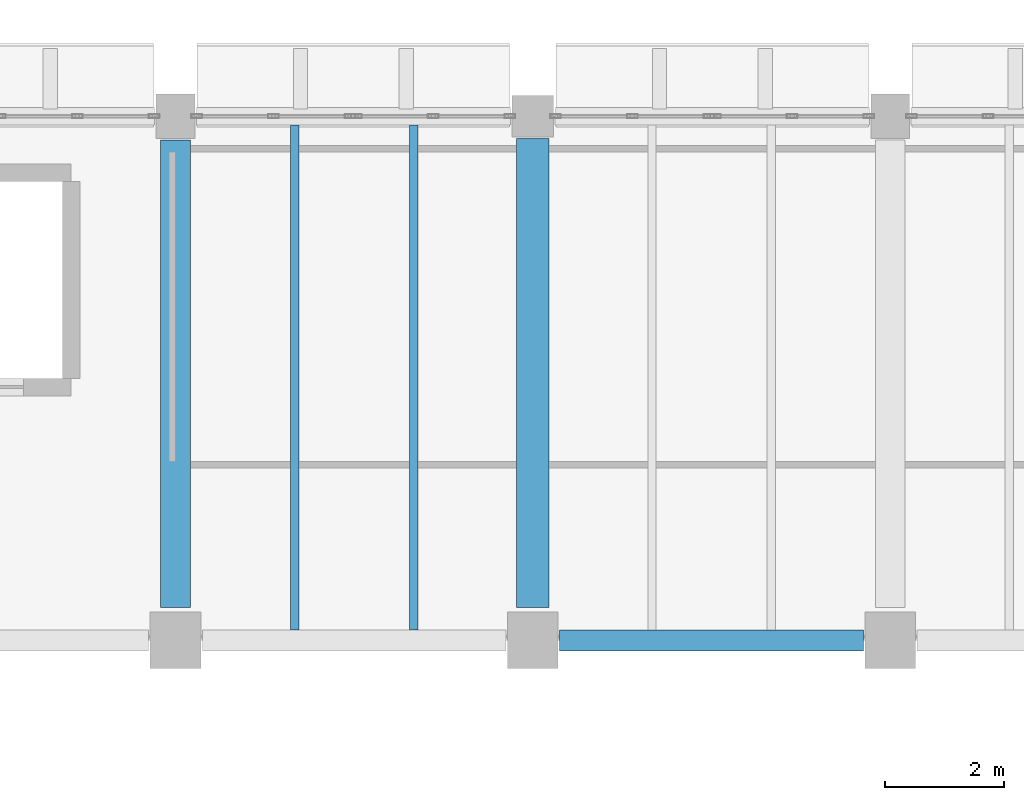
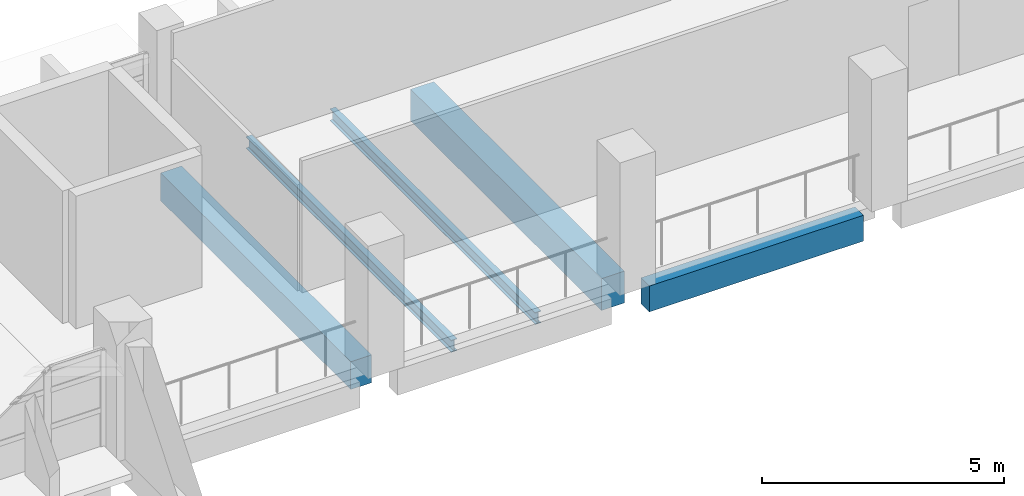
# One storey, part 31 of 75: 5 beams.
"""IFC4 building model written with IfcOpenShell, lengths in metres."""

from ifc_helpers import new_model, si_unit, direction, frame, origin, origin_2d, place, context, subcontext, project, spatial, rectangle, i_section, extrude, material, material_profile, profile_set, type_object, element, save


model = new_model("IFC4")

# Units and contexts
model_context = context("Model", 3, precision=1e-05, world=origin(), true_north=direction((0.0, 1.0)))
body_context = subcontext(model_context, "Body", "Model", "MODEL_VIEW")
ifc_project = project(units=[si_unit("LENGTHUNIT", "METRE"), si_unit("AREAUNIT", "SQUARE_METRE"), si_unit("VOLUMEUNIT", "CUBIC_METRE"), si_unit("PLANEANGLEUNIT", "RADIAN"), si_unit("MASSUNIT", "GRAM", prefix="KILO")], contexts=[model_context])

# Site, building, storey
site_placement = place(None, origin())
site = spatial("IfcSite", under=ifc_project, at=site_placement, CompositionType="ELEMENT")
building_placement = place(site_placement, origin())
building = spatial("IfcBuilding", under=site, at=building_placement, Name="Varnakota Cinema and Media Centre", CompositionType="ELEMENT")
storey_placement = place(building_placement, frame((0.0, 0.0, 8.39990234375)))
storey = spatial("IfcBuildingStorey", under=building, at=storey_placement, Name="L02", CompositionType="ELEMENT", Elevation=8.39990234375)

# Beams
ifc_material_1 = material(Name="Concrete M35", Category="concrete")
ifc_material_profile_1 = material_profile(ifc_material_1, rectangle(XDim=0.5, YDim=0.699951171875, at=origin_2d()), Name="RCB 500x700")
ifc_profile_set_1 = profile_set([ifc_material_profile_1], Name="Concrete M35")
beam_type_1 = type_object("IfcBeamType", Name="BM-RC-500x700", PredefinedType="BEAM", material=ifc_profile_set_1)
beam_1_placement = place(storey_placement, frame((81.0, 35.75, -0.599853515625), z_axis=(0.0, 1.0, 0.0), x_axis=(-1.0, 0.0, 0.0)))
element("IfcBeam", 1, at=beam_1_placement, inside=storey, type_object=beam_type_1, Name="L02 girder L/5-6", PredefinedType="BEAM", context=body_context, shape_type="SweptSolid", body=[
    extrude(rectangle(XDim=0.5, YDim=0.699951171875, at=origin_2d()), origin(), (0.0, 0.0, 1.0), 7.85009765625),
])
ifc_material_2 = material(Name="Concrete M35", Category="concrete")
ifc_material_profile_2 = material_profile(ifc_material_2, rectangle(XDim=0.550048828125, YDim=0.800048828125, at=origin_2d()), Name="RCB 550x800")
ifc_profile_set_2 = profile_set([ifc_material_profile_2], Name="Concrete M35")
beam_type_2 = type_object("IfcBeamType", Name="BM-RC-550x800", PredefinedType="BEAM", material=ifc_profile_set_2)
beam_2_placement = place(storey_placement, frame((87.0, 35.75, -0.64990234375), z_axis=(0.0, 1.0, 0.0), x_axis=(-1.0, 0.0, 0.0)))
element("IfcBeam", 2, at=beam_2_placement, inside=storey, type_object=beam_type_2, Name="L02 girder M/5-6", PredefinedType="BEAM", context=body_context, shape_type="SweptSolid", body=[
    extrude(rectangle(XDim=0.550048828125, YDim=0.800048828125, at=origin_2d()), origin(), (0.0, 0.0, 1.0), 7.875),
])
ifc_material_3 = material(Name="Concrete M40", Category="concrete")
ifc_material_profile_3 = material_profile(ifc_material_3, rectangle(XDim=0.35009765625, YDim=0.64990234375, at=origin_2d()), Name="RCB 350x650")
ifc_profile_set_3 = profile_set([ifc_material_profile_3], Name="Concrete M40")
beam_type_3 = type_object("IfcBeamType", Name="BM-SP-350x650", PredefinedType="SPANDREL", material=ifc_profile_set_3)
beam_3_placement = place(storey_placement, frame((87.449951171875, 35.199951171875, -0.574951171875), z_axis=(1.0, 0.0, 0.0), x_axis=(0.0, 1.0, 0.0)))
element("IfcBeam", 3, at=beam_3_placement, inside=storey, type_object=beam_type_3, Name="L02 girder M-N/5", PredefinedType="SPANDREL", context=body_context, shape_type="SweptSolid", body=[
    extrude(rectangle(XDim=0.35009765625, YDim=0.64990234375, at=origin_2d()), origin(), (0.0, 0.0, 1.0), 5.10009765625),
])
ifc_material_4 = material(Name="Structural steel Grade 350 (E350)", Category="steel")
ifc_material_profile_4 = material_profile(ifc_material_4, i_section(OverallWidth=0.139892578125, OverallDepth=0.300048828125, WebThickness=0.0078125, FlangeThickness=0.01318359375, FilletRadius=0.013916015625, at=origin_2d()), Name="ISMB 300")
ifc_profile_set_4 = profile_set([ifc_material_profile_4], Name="Structural steel Grade 350 (E350)")
beam_type_4 = type_object("IfcBeamType", Name="BM-ST-ISMB300", PredefinedType="JOIST", material=ifc_profile_set_4)
for number, where, z_axis, x_axis, name in (
    (4, (83.0, 35.375, -0.39990234375), (0.0, 1.0, 0.0), (-1.0, 0.0, 0.0), "L02 steel joist L-M/5-6 #1"),
    (5, (85.0, 35.375, -0.39990234375), (0.0, 1.0, 0.0), (-1.0, 0.0, 0.0), "L02 steel joist L-M/5-6 #2"),
):
    element("IfcBeam", number, at=place(storey_placement, frame(where, z_axis=z_axis, x_axis=x_axis)), inside=storey, type_object=beam_type_4, Name=name, PredefinedType="JOIST", context=body_context, shape_type="SweptSolid", body=[
        extrude(i_section(OverallWidth=0.139892578125, OverallDepth=0.300048828125, WebThickness=0.0078125, FlangeThickness=0.01318359375, FilletRadius=0.013916015625, at=origin_2d()), origin(), (0.0, 0.0, 1.0), 8.47509765625),
    ])

save(model, "model.ifc")
